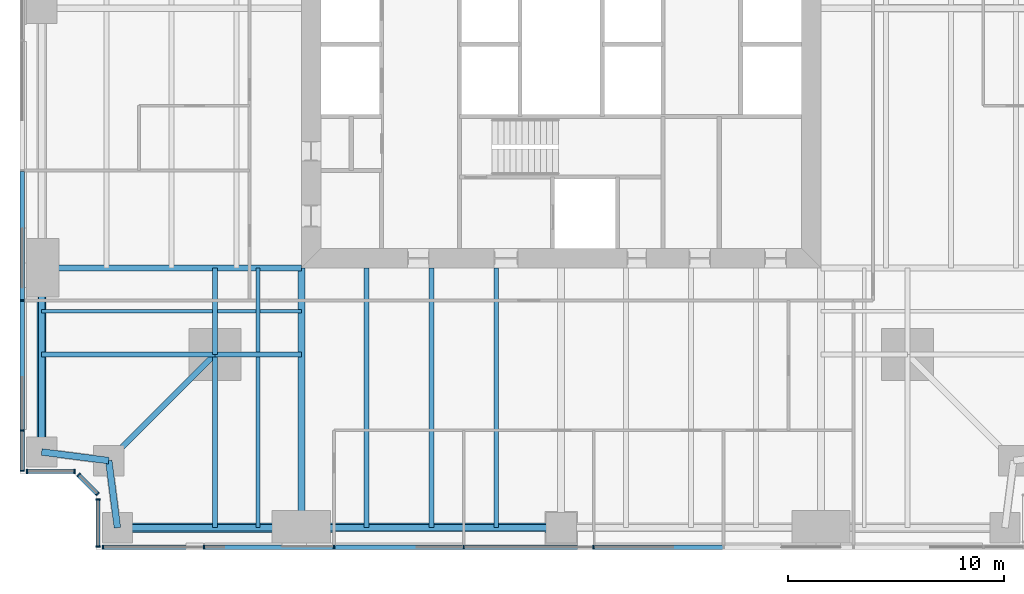
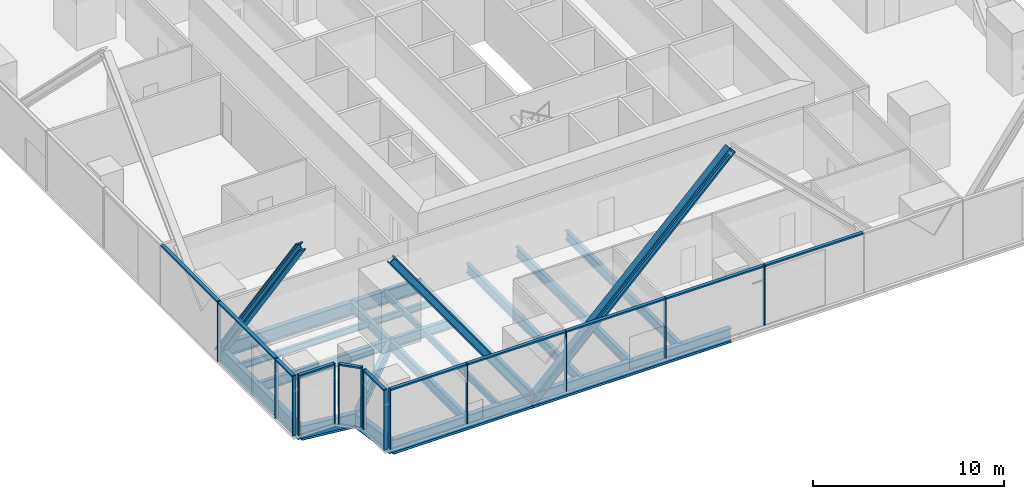
# One storey, part 2 of 14: 28 members, 20 beams, 5 elements without a shape of their own.
"""IFC4 building model written with IfcOpenShell, lengths in metres."""

from ifc_helpers import new_model, si_unit, direction, frame, origin, origin_2d, place, context, subcontext, project, spatial, rectangle, i_section, extrude, material, material_profile, profile_set, type_object, element, aggregate, save


model = new_model("IFC4")

# Units and contexts
model_context = context("Model", 3, precision=1e-05, world=origin(), true_north=direction((0.0, 1.0)))
body_context = subcontext(model_context, "Body", "Model", "MODEL_VIEW")
ifc_project = project(units=[si_unit("LENGTHUNIT", "METRE"), si_unit("AREAUNIT", "SQUARE_METRE"), si_unit("VOLUMEUNIT", "CUBIC_METRE"), si_unit("PLANEANGLEUNIT", "RADIAN"), si_unit("MASSUNIT", "GRAM", prefix="KILO")], contexts=[model_context])

# Site, building, storey
site_placement = place(None, origin())
site = spatial("IfcSite", under=ifc_project, at=site_placement, CompositionType="ELEMENT")
building_placement = place(site_placement, origin())
building = spatial("IfcBuilding", under=site, at=building_placement, Name="Fenwick Lantern Interchange", CompositionType="ELEMENT")
storey_placement = place(building_placement, frame((0.0, 0.0, 79.0)))
storey = spatial("IfcBuildingStorey", under=building, at=storey_placement, Name="L18", CompositionType="ELEMENT", Elevation=79.0)

# Beams
ifc_material_1 = material(Name="Steel ASTM A992 Grade 50", Category="steel")
ifc_material_profile_1 = material_profile(ifc_material_1, i_section(OverallWidth=0.3046875, OverallDepth=0.911865234375, WebThickness=0.015869140625, FlangeThickness=0.02392578125, at=origin_2d()), Name="W36X150")
ifc_profile_set_1 = profile_set([ifc_material_profile_1], Name="Steel ASTM A992 Grade 50")
beam_type_1 = type_object("IfcBeamType", Name="EDGE BEAM W36X150", PredefinedType="SPANDREL", material=ifc_profile_set_1)
beam_1_placement = place(storey_placement, frame((4.5, 1.0, -0.60595703125), z_axis=(1.0, 0.0, 0.0), x_axis=(0.0, 1.0, 0.0)))
element("IfcBeam", 1, at=beam_1_placement, inside=storey, type_object=beam_type_1, Name="L18/FR/S/EB1", PredefinedType="SPANDREL", context=body_context, shape_type="SweptSolid", body=[
    extrude(i_section(OverallWidth=0.3046875, OverallDepth=0.911865234375, WebThickness=0.015869140625, FlangeThickness=0.02392578125, at=origin_2d()), origin(), (0.0, 0.0, 1.0), 8.5),
])
beam_2_placement = place(storey_placement, frame((13.0, 1.0, -0.60595703125), z_axis=(1.0, 0.0, 0.0), x_axis=(0.0, 1.0, 0.0)))
element("IfcBeam", 2, at=beam_2_placement, inside=storey, type_object=beam_type_1, Name="L18/FR/S/EB2", PredefinedType="SPANDREL", context=body_context, shape_type="SweptSolid", body=[
    extrude(i_section(OverallWidth=0.3046875, OverallDepth=0.911865234375, WebThickness=0.015869140625, FlangeThickness=0.02392578125, at=origin_2d()), origin(), (0.0, 0.0, 1.0), 12.0),
])
beam_3_placement = place(storey_placement, frame((1.0, 13.0, -0.60595703125), z_axis=(0.0, -1.0, 0.0), x_axis=(1.0, 0.0, 0.0)))
element("IfcBeam", 3, at=beam_3_placement, inside=storey, type_object=beam_type_1, Name="L18/FR/W/EB4", PredefinedType="SPANDREL", context=body_context, shape_type="SweptSolid", body=[
    extrude(i_section(OverallWidth=0.3046875, OverallDepth=0.911865234375, WebThickness=0.015869140625, FlangeThickness=0.02392578125, at=origin_2d()), origin(), (0.0, 0.0, 1.0), 8.5),
])
for number, where, z_axis, x_axis, name in (
    (4, (1.0, 4.5, -0.60595703125), (0.991782342897, -0.127936641807, 0.0), (0.127936641807, 0.991782342897, 0.0), "L18/FR/W/EBR1"),
    (5, (4.10009765625, 4.10009765625, -0.60595703125), (0.127936641807, -0.991782342897, 0.0), (0.991782342897, 0.127936641807, 0.0), "L18/FR/W/EBR2"),
):
    element("IfcBeam", number, at=place(storey_placement, frame(where, z_axis=z_axis, x_axis=x_axis)), inside=storey, type_object=beam_type_1, Name=name, PredefinedType="SPANDREL", context=body_context, shape_type="SweptSolid", body=[
        extrude(i_section(OverallWidth=0.3046875, OverallDepth=0.911865234375, WebThickness=0.015869140625, FlangeThickness=0.02392578125, at=origin_2d()), origin(), (0.0, 0.0, 1.0), 3.125732421875),
    ])

# Members
ifc_material_profile_2 = material_profile(ifc_material_1, i_section(OverallWidth=0.424072265625, OverallDepth=0.47509765625, WebThickness=0.0478515625, FlangeThickness=0.0771484375, at=origin_2d()), Name="W14X426")
ifc_profile_set_2 = profile_set([ifc_material_profile_2], Name="Steel ASTM A992 Grade 50")
member_type_1 = type_object("IfcMemberType", Name="FACADE BRACE W14X426", PredefinedType="BRACE", material=ifc_profile_set_2)
for number, where, z_axis, x_axis, name in (
    (6, (13.0, 1.0, -0.60595703125), (-0.581715408588, 0.0, 0.813392392029), (0.0, -1.0, 0.0), "L18/FB/S/AE"),
    (7, (1.0, 13.0, -0.60595703125), (0.0, -0.581715408588, 0.813392392029), (1.0, 0.0, 0.0), "L18/FB/W/BE"),
):
    element("IfcMember", number, at=place(storey_placement, frame(where, z_axis=z_axis, x_axis=x_axis)), inside=storey, type_object=member_type_1, Name=name, PredefinedType="BRACE", context=body_context, shape_type="SweptSolid", body=[
        extrude(i_section(OverallWidth=0.424072265625, OverallDepth=0.47509765625, WebThickness=0.0478515625, FlangeThickness=0.0771484375, at=origin_2d()), origin(), (0.0, 0.0, 1.0), 14.612060546875),
    ])
ifc_material_profile_3 = material_profile(ifc_material_1, i_section(OverallWidth=0.44189453125, OverallDepth=0.53076171875, WebThickness=0.06591796875, FlangeThickness=0.105712890625, at=origin_2d()), Name="W14X605")
ifc_profile_set_3 = profile_set([ifc_material_profile_3], Name="Steel ASTM A992 Grade 50")
member_type_2 = type_object("IfcMemberType", Name="FACADE BRACE W14X605", PredefinedType="BRACE", material=ifc_profile_set_3)
member_1_placement = place(storey_placement, frame((13.0, 1.0, -0.60595703125), z_axis=(0.710495562956, 0.0, 0.703701680416), x_axis=(0.0, 1.0, 0.0)))
element("IfcMember", 8, at=member_1_placement, inside=storey, type_object=member_type_2, Name="L18/FB/S/A", PredefinedType="BRACE", context=body_context, shape_type="SweptSolid", body=[
    extrude(i_section(OverallWidth=0.44189453125, OverallDepth=0.53076171875, WebThickness=0.06591796875, FlangeThickness=0.105712890625, at=origin_2d()), origin(), (0.0, 0.0, 1.0), 16.8896484375),
])

# Beams
ifc_material_profile_4 = material_profile(ifc_material_1, i_section(OverallWidth=0.22900390625, OverallDepth=0.612060546875, WebThickness=0.011962890625, FlangeThickness=0.01953125, at=origin_2d()), Name="W24X84")
ifc_profile_set_4 = profile_set([ifc_material_profile_4], Name="Steel ASTM A992 Grade 50")
beam_type_2 = type_object("IfcBeamType", Name="FLOOR BEAM W24X84", PredefinedType="BEAM", material=ifc_profile_set_4)
for number, where, z_axis, x_axis, name in (
    (9, (16.0, 1.0, -0.4560546875), (0.0, 1.0, 0.0), (-1.0, 0.0, 0.0), "L18/FR/S/R02"),
    (10, (19.0, 1.0, -0.4560546875), (0.0, 1.0, 0.0), (-1.0, 0.0, 0.0), "L18/FR/S/R03"),
    (11, (22.0, 1.0, -0.4560546875), (0.0, 1.0, 0.0), (-1.0, 0.0, 0.0), "L18/FR/S/R04"),
):
    element("IfcBeam", number, at=place(storey_placement, frame(where, z_axis=z_axis, x_axis=x_axis)), inside=storey, type_object=beam_type_2, Name=name, PredefinedType="BEAM", context=body_context, shape_type="SweptSolid", body=[
        extrude(i_section(OverallWidth=0.22900390625, OverallDepth=0.612060546875, WebThickness=0.011962890625, FlangeThickness=0.01953125, at=origin_2d()), origin(), (0.0, 0.0, 1.0), 12.0),
    ])
ifc_material_profile_5 = material_profile(ifc_material_1, i_section(OverallWidth=0.177734375, OverallDepth=0.406494140625, WebThickness=0.0078125, FlangeThickness=0.012939453125, at=origin_2d()), Name="W16X40")
ifc_profile_set_5 = profile_set([ifc_material_profile_5], Name="Steel ASTM A992 Grade 50")
beam_type_3 = type_object("IfcBeamType", Name="INFILL BEAM W16X40", PredefinedType="JOIST", material=ifc_profile_set_5)
beam_4_placement = place(storey_placement, frame((11.0, 1.0, -0.353271484375), z_axis=(0.0, 1.0, 0.0), x_axis=(-1.0, 0.0, 0.0)))
element("IfcBeam", 12, at=beam_4_placement, inside=storey, type_object=beam_type_3, Name="L18/FR/S/J1", PredefinedType="JOIST", context=body_context, shape_type="SweptSolid", body=[
    extrude(i_section(OverallWidth=0.177734375, OverallDepth=0.406494140625, WebThickness=0.0078125, FlangeThickness=0.012939453125, at=origin_2d()), origin(), (0.0, 0.0, 1.0), 7.885498046875),
])
beam_5_placement = place(storey_placement, frame((11.0, 9.114501953125, -0.353271484375), z_axis=(0.0, 1.0, 0.0), x_axis=(-1.0, 0.0, 0.0)))
element("IfcBeam", 13, at=beam_5_placement, inside=storey, type_object=beam_type_3, Name="L18/FR/S/J2", PredefinedType="JOIST", context=body_context, shape_type="SweptSolid", body=[
    extrude(i_section(OverallWidth=0.177734375, OverallDepth=0.406494140625, WebThickness=0.0078125, FlangeThickness=0.012939453125, at=origin_2d()), origin(), (0.0, 0.0, 1.0), 3.885498046875),
])
beam_6_placement = place(storey_placement, frame((1.0, 11.0, -0.353271484375), z_axis=(1.0, 0.0, 0.0), x_axis=(0.0, 1.0, 0.0)))
element("IfcBeam", 14, at=beam_6_placement, inside=storey, type_object=beam_type_3, Name="L18/FR/S/J3", PredefinedType="JOIST", context=body_context, shape_type="SweptSolid", body=[
    extrude(i_section(OverallWidth=0.177734375, OverallDepth=0.406494140625, WebThickness=0.0078125, FlangeThickness=0.012939453125, at=origin_2d()), origin(), (0.0, 0.0, 1.0), 7.885498046875),
])
beam_7_placement = place(storey_placement, frame((9.114501953125, 11.0, -0.353271484375), z_axis=(1.0, 0.0, 0.0), x_axis=(0.0, 1.0, 0.0)))
element("IfcBeam", 15, at=beam_7_placement, inside=storey, type_object=beam_type_3, Name="L18/FR/S/J4", PredefinedType="JOIST", context=body_context, shape_type="SweptSolid", body=[
    extrude(i_section(OverallWidth=0.177734375, OverallDepth=0.406494140625, WebThickness=0.0078125, FlangeThickness=0.012939453125, at=origin_2d()), origin(), (0.0, 0.0, 1.0), 1.796630859375),
])
beam_8_placement = place(storey_placement, frame((11.0888671875, 11.0, -0.353271484375), z_axis=(1.0, 0.0, 0.0), x_axis=(0.0, 1.0, 0.0)))
element("IfcBeam", 16, at=beam_8_placement, inside=storey, type_object=beam_type_3, Name="L18/FR/S/J5", PredefinedType="JOIST", context=body_context, shape_type="SweptSolid", body=[
    extrude(i_section(OverallWidth=0.177734375, OverallDepth=0.406494140625, WebThickness=0.0078125, FlangeThickness=0.012939453125, at=origin_2d()), origin(), (0.0, 0.0, 1.0), 1.9111328125),
])
ifc_material_profile_6 = material_profile(ifc_material_1, i_section(OverallWidth=0.22900390625, OverallDepth=0.612060546875, WebThickness=0.011962890625, FlangeThickness=0.01953125, at=origin_2d()), Name="W24X84")
ifc_profile_set_6 = profile_set([ifc_material_profile_6], Name="Steel ASTM A992 Grade 50")
beam_type_4 = type_object("IfcBeamType", Name="MEGA COLUMN BEAM W24X84", PredefinedType="BEAM", material=ifc_profile_set_6)
for number, where, z_axis, x_axis, name in (
    (17, (9.0, 9.0, -0.4560546875), (0.0, -1.0, 0.0), (1.0, 0.0, 0.0), "L18/FR/S/MB1"),
    (18, (9.0, 9.0, -0.4560546875), (-1.0, 0.0, 0.0), (0.0, -1.0, 0.0), "L18/FR/S/MB2"),
):
    element("IfcBeam", number, at=place(storey_placement, frame(where, z_axis=z_axis, x_axis=x_axis)), inside=storey, type_object=beam_type_4, Name=name, PredefinedType="BEAM", context=body_context, shape_type="SweptSolid", body=[
        extrude(i_section(OverallWidth=0.22900390625, OverallDepth=0.612060546875, WebThickness=0.011962890625, FlangeThickness=0.01953125, at=origin_2d()), origin(), (0.0, 0.0, 1.0), 8.0),
    ])
for number, where, z_axis, x_axis, name in (
    (19, (9.0, 9.0, -0.4560546875), (1.0, 0.0, 0.0), (0.0, 1.0, 0.0), "L18/FR/S/MB3"),
    (20, (9.0, 9.0, -0.4560546875), (0.0, 1.0, 0.0), (-1.0, 0.0, 0.0), "L18/FR/S/MB4"),
):
    element("IfcBeam", number, at=place(storey_placement, frame(where, z_axis=z_axis, x_axis=x_axis)), inside=storey, type_object=beam_type_4, Name=name, PredefinedType="BEAM", context=body_context, shape_type="SweptSolid", body=[
        extrude(i_section(OverallWidth=0.22900390625, OverallDepth=0.612060546875, WebThickness=0.011962890625, FlangeThickness=0.01953125, at=origin_2d()), origin(), (0.0, 0.0, 1.0), 4.0),
    ])
ifc_material_profile_7 = material_profile(ifc_material_1, i_section(OverallWidth=0.32763671875, OverallDepth=0.622314453125, WebThickness=0.015380859375, FlangeThickness=0.0244140625, at=origin_2d()), Name="W24X131")
ifc_profile_set_7 = profile_set([ifc_material_profile_7], Name="Steel ASTM A992 Grade 50")
beam_type_5 = type_object("IfcBeamType", Name="MOMENT-CONNECTED GIRDER W24X131", PredefinedType="BEAM", material=ifc_profile_set_7)
beam_9_placement = place(storey_placement, frame((13.0, 1.0, -0.461181640625), z_axis=(0.0, 1.0, 0.0), x_axis=(-1.0, 0.0, 0.0)))
element("IfcBeam", 21, at=beam_9_placement, inside=storey, type_object=beam_type_5, Name="L18/FR/S/R01", PredefinedType="BEAM", context=body_context, shape_type="SweptSolid", body=[
    extrude(i_section(OverallWidth=0.32763671875, OverallDepth=0.622314453125, WebThickness=0.015380859375, FlangeThickness=0.0244140625, at=origin_2d()), origin(), (0.0, 0.0, 1.0), 12.0),
])
ifc_material_profile_8 = material_profile(ifc_material_1, i_section(OverallWidth=0.2919921875, OverallDepth=0.845703125, WebThickness=0.015380859375, FlangeThickness=0.0244140625, at=origin_2d()), Name="W33X141")
ifc_profile_set_8 = profile_set([ifc_material_profile_8], Name="Steel ASTM A992 Grade 50")
beam_type_6 = type_object("IfcBeamType", Name="MOMENT-CONNECTED GIRDER W33X141", PredefinedType="BEAM", material=ifc_profile_set_8)
beam_10_placement = place(storey_placement, frame((1.0, 13.0, -0.572998046875), z_axis=(1.0, 0.0, 0.0), x_axis=(0.0, 1.0, 0.0)))
element("IfcBeam", 22, at=beam_10_placement, inside=storey, type_object=beam_type_6, Name="L18/FR/W/R03", PredefinedType="BEAM", context=body_context, shape_type="SweptSolid", body=[
    extrude(i_section(OverallWidth=0.2919921875, OverallDepth=0.845703125, WebThickness=0.015380859375, FlangeThickness=0.0244140625, at=origin_2d()), origin(), (0.0, 0.0, 1.0), 12.0),
])
ifc_material_profile_9 = material_profile(ifc_material_1, i_section(OverallWidth=0.2666015625, OverallDepth=0.7568359375, WebThickness=0.013916015625, FlangeThickness=0.019287109375, at=origin_2d()), Name="W30X108")
ifc_profile_set_9 = profile_set([ifc_material_profile_9], Name="Steel ASTM A992 Grade 50")
beam_type_7 = type_object("IfcBeamType", Name="NOTCH BEAM W30X108", PredefinedType="BEAM", material=ifc_profile_set_9)
beam_11_placement = place(storey_placement, frame((9.0, 9.0, -0.528564453125), z_axis=(-0.707106781187, -0.707106781187, 0.0), x_axis=(0.707106781187, -0.707106781187, 0.0)))
element("IfcBeam", 23, at=beam_11_placement, inside=storey, type_object=beam_type_7, Name="L18/FR/S/TG", PredefinedType="BEAM", context=body_context, shape_type="SweptSolid", body=[
    extrude(i_section(OverallWidth=0.2666015625, OverallDepth=0.7568359375, WebThickness=0.013916015625, FlangeThickness=0.019287109375, at=origin_2d()), origin(), (0.0, 0.0, 1.0), 6.929443359375),
])

# Curtain wall, members
ifc_material_2 = material(Name="Aluminium curtain wall frame", Category="aluminium")
curtain_wall_type = type_object("IfcCurtainWallType", Name="OFFICE CURTAIN WALL", PredefinedType="USERDEFINED", material=ifc_material_2)
curtain_wall_1_placement = place(storey_placement, origin())
curtain_wall_1 = element("IfcCurtainWall", 24, at=curtain_wall_1_placement, inside=storey, type_object=curtain_wall_type, Name="Office curtain wall 01", ObjectType="OFFICE CURTAIN WALL", PredefinedType="USERDEFINED")
ifc_material_3 = material(Name="Aluminium extrusion", Category="aluminium")
ifc_material_profile_10 = material_profile(ifc_material_3, rectangle(XDim=0.199951171875, YDim=0.06494140625, at=origin_2d()), Name="OFFICE CURTAIN WALL MULLION 65 X 200")
ifc_profile_set_10 = profile_set([ifc_material_profile_10], Name="Aluminium extrusion")
member_type_3 = type_object("IfcMemberType", Name="OFFICE CURTAIN WALL MULLION 65 X 200", PredefinedType="MULLION", material=ifc_profile_set_10)
member_2_placement = place(storey_placement, frame((3.83251953125, 0.10009765625, 0.0), z_axis=(0.0, 0.0, 1.0), x_axis=(0.0, 1.0, 0.0)))
member_2 = element("IfcMember", 25, at=member_2_placement, type_object=member_type_3, Name="L18/CW/01/M00", PredefinedType="MULLION", context=body_context, shape_type="SweptSolid", body=[
    extrude(rectangle(XDim=0.199951171875, YDim=0.06494140625, at=origin_2d()), origin(), (0.0, 0.0, 1.0), 3.85009765625),
])
member_3_placement = place(storey_placement, frame((8.5, 0.10009765625, 0.0), z_axis=(0.0, 0.0, 1.0), x_axis=(0.0, 1.0, 0.0)))
member_3 = element("IfcMember", 26, at=member_3_placement, type_object=member_type_3, Name="L18/CW/01/M01", PredefinedType="MULLION", context=body_context, shape_type="SweptSolid", body=[
    extrude(rectangle(XDim=0.199951171875, YDim=0.06494140625, at=origin_2d()), origin(), (0.0, 0.0, 1.0), 3.85009765625),
])
member_4_placement = place(storey_placement, frame((14.5, 0.10009765625, 0.0), z_axis=(0.0, 0.0, 1.0), x_axis=(0.0, 1.0, 0.0)))
member_4 = element("IfcMember", 27, at=member_4_placement, type_object=member_type_3, Name="L18/CW/01/M02", PredefinedType="MULLION", context=body_context, shape_type="SweptSolid", body=[
    extrude(rectangle(XDim=0.199951171875, YDim=0.06494140625, at=origin_2d()), origin(), (0.0, 0.0, 1.0), 3.85009765625),
])
member_5_placement = place(storey_placement, frame((20.5, 0.10009765625, 0.0), z_axis=(0.0, 0.0, 1.0), x_axis=(0.0, 1.0, 0.0)))
member_5 = element("IfcMember", 28, at=member_5_placement, type_object=member_type_3, Name="L18/CW/01/M03", PredefinedType="MULLION", context=body_context, shape_type="SweptSolid", body=[
    extrude(rectangle(XDim=0.199951171875, YDim=0.06494140625, at=origin_2d()), origin(), (0.0, 0.0, 1.0), 3.85009765625),
])
member_6_placement = place(storey_placement, frame((26.5, 0.10009765625, 0.0), z_axis=(0.0, 0.0, 1.0), x_axis=(0.0, 1.0, 0.0)))
member_6 = element("IfcMember", 29, at=member_6_placement, type_object=member_type_3, Name="L18/CW/01/M04", PredefinedType="MULLION", context=body_context, shape_type="SweptSolid", body=[
    extrude(rectangle(XDim=0.199951171875, YDim=0.06494140625, at=origin_2d()), origin(), (0.0, 0.0, 1.0), 3.85009765625),
])

curtain_wall_2_placement = place(storey_placement, origin())
curtain_wall_2 = element("IfcCurtainWall", 30, at=curtain_wall_2_placement, inside=storey, type_object=curtain_wall_type, Name="Office curtain wall 13", ObjectType="OFFICE CURTAIN WALL", PredefinedType="USERDEFINED")
member_7_placement = place(storey_placement, frame((0.10009765625, 11.5, 0.0), z_axis=(0.0, 0.0, 1.0), x_axis=(1.0, 0.0, 0.0)))
member_7 = element("IfcMember", 31, at=member_7_placement, type_object=member_type_3, Name="L18/CW/13/M06", PredefinedType="MULLION", context=body_context, shape_type="SweptSolid", body=[
    extrude(rectangle(XDim=0.199951171875, YDim=0.06494140625, at=origin_2d()), origin(), (0.0, 0.0, 1.0), 3.85009765625),
])
member_8_placement = place(storey_placement, frame((0.10009765625, 5.5, 0.0), z_axis=(0.0, 0.0, 1.0), x_axis=(1.0, 0.0, 0.0)))
member_8 = element("IfcMember", 32, at=member_8_placement, type_object=member_type_3, Name="L18/CW/13/M07", PredefinedType="MULLION", context=body_context, shape_type="SweptSolid", body=[
    extrude(rectangle(XDim=0.199951171875, YDim=0.06494140625, at=origin_2d()), origin(), (0.0, 0.0, 1.0), 3.85009765625),
])
member_9_placement = place(storey_placement, frame((0.10009765625, 3.632568359375, 0.0), z_axis=(0.0, 0.0, 1.0), x_axis=(1.0, 0.0, 0.0)))
member_9 = element("IfcMember", 33, at=member_9_placement, type_object=member_type_3, Name="L18/CW/13/M08", PredefinedType="MULLION", context=body_context, shape_type="SweptSolid", body=[
    extrude(rectangle(XDim=0.199951171875, YDim=0.06494140625, at=origin_2d()), origin(), (0.0, 0.0, 1.0), 3.85009765625),
])

curtain_wall_3_placement = place(storey_placement, origin())
curtain_wall_3 = element("IfcCurtainWall", 34, at=curtain_wall_3_placement, inside=storey, type_object=curtain_wall_type, Name="Office curtain wall 14", ObjectType="OFFICE CURTAIN WALL", PredefinedType="USERDEFINED")
member_10_placement = place(storey_placement, frame((0.33251953125, 3.60009765625, 0.0), z_axis=(0.0, 0.0, 1.0), x_axis=(0.0, 1.0, 0.0)))
member_10 = element("IfcMember", 35, at=member_10_placement, type_object=member_type_3, Name="L18/CW/14/M00", PredefinedType="MULLION", context=body_context, shape_type="SweptSolid", body=[
    extrude(rectangle(XDim=0.199951171875, YDim=0.06494140625, at=origin_2d()), origin(), (0.0, 0.0, 1.0), 3.85009765625),
])
member_11_placement = place(storey_placement, frame((2.509033203125, 3.60009765625, 0.0), z_axis=(0.0, 0.0, 1.0), x_axis=(0.0, 1.0, 0.0)))
member_11 = element("IfcMember", 36, at=member_11_placement, type_object=member_type_3, Name="L18/CW/14/M01", PredefinedType="MULLION", context=body_context, shape_type="SweptSolid", body=[
    extrude(rectangle(XDim=0.199951171875, YDim=0.06494140625, at=origin_2d()), origin(), (0.0, 0.0, 1.0), 3.85009765625),
])

curtain_wall_4_placement = place(storey_placement, origin())
curtain_wall_4 = element("IfcCurtainWall", 37, at=curtain_wall_4_placement, inside=storey, type_object=curtain_wall_type, Name="Office curtain wall 15", ObjectType="OFFICE CURTAIN WALL", PredefinedType="USERDEFINED")
member_12_placement = place(storey_placement, frame((2.705810546875, 3.435546875, 0.0), z_axis=(0.0, 0.0, 1.0), x_axis=(0.707106781187, 0.707106781187, 0.0)))
member_12 = element("IfcMember", 38, at=member_12_placement, type_object=member_type_3, Name="L18/CW/15/M00", PredefinedType="MULLION", context=body_context, shape_type="SweptSolid", body=[
    extrude(rectangle(XDim=0.199951171875, YDim=0.06494140625, at=origin_2d()), origin(), (0.0, 0.0, 1.0), 3.85009765625),
])
member_13_placement = place(storey_placement, frame((3.576904296875, 2.564453125, 0.0), z_axis=(0.0, 0.0, 1.0), x_axis=(0.707106781187, 0.707106781187, 0.0)))
member_13 = element("IfcMember", 39, at=member_13_placement, type_object=member_type_3, Name="L18/CW/15/M01", PredefinedType="MULLION", context=body_context, shape_type="SweptSolid", body=[
    extrude(rectangle(XDim=0.199951171875, YDim=0.06494140625, at=origin_2d()), origin(), (0.0, 0.0, 1.0), 3.85009765625),
])

curtain_wall_5_placement = place(storey_placement, origin())
curtain_wall_5 = element("IfcCurtainWall", 40, at=curtain_wall_5_placement, inside=storey, type_object=curtain_wall_type, Name="Office curtain wall 16", ObjectType="OFFICE CURTAIN WALL", PredefinedType="USERDEFINED")
member_14_placement = place(storey_placement, frame((3.60009765625, 2.308837890625, 0.0), z_axis=(0.0, 0.0, 1.0), x_axis=(1.0, 0.0, 0.0)))
member_14 = element("IfcMember", 41, at=member_14_placement, type_object=member_type_3, Name="L18/CW/16/M00", PredefinedType="MULLION", context=body_context, shape_type="SweptSolid", body=[
    extrude(rectangle(XDim=0.199951171875, YDim=0.06494140625, at=origin_2d()), origin(), (0.0, 0.0, 1.0), 3.85009765625),
])
member_15_placement = place(storey_placement, frame((3.60009765625, 0.132568359375, 0.0), z_axis=(0.0, 0.0, 1.0), x_axis=(1.0, 0.0, 0.0)))
member_15 = element("IfcMember", 42, at=member_15_placement, type_object=member_type_3, Name="L18/CW/16/M01", PredefinedType="MULLION", context=body_context, shape_type="SweptSolid", body=[
    extrude(rectangle(XDim=0.199951171875, YDim=0.06494140625, at=origin_2d()), origin(), (0.0, 0.0, 1.0), 3.85009765625),
])

# Member
ifc_material_profile_11 = material_profile(ifc_material_3, rectangle(XDim=0.199951171875, YDim=0.10009765625, at=origin_2d()), Name="OFFICE CURTAIN WALL TRANSOM 100 X 200")
ifc_profile_set_11 = profile_set([ifc_material_profile_11], Name="Aluminium extrusion")
member_type_4 = type_object("IfcMemberType", Name="OFFICE CURTAIN WALL TRANSOM 100 X 200", PredefinedType="MULLION", material=ifc_profile_set_11)
member_16_placement = place(storey_placement, frame((3.864990234375, 0.10009765625, 3.800048828125), z_axis=(1.0, 0.0, 0.0), x_axis=(0.0, 1.0, 0.0)))
member_16 = element("IfcMember", 43, at=member_16_placement, type_object=member_type_4, Name="L18/CW/01/T00", PredefinedType="MULLION", context=body_context, shape_type="SweptSolid", body=[
    extrude(rectangle(XDim=0.199951171875, YDim=0.10009765625, at=origin_2d()), origin(), (0.0, 0.0, 1.0), 4.6025390625),
])

member_17_placement = place(storey_placement, frame((8.532470703125, 0.10009765625, 3.800048828125), z_axis=(1.0, 0.0, 0.0), x_axis=(0.0, 1.0, 0.0)))
member_17 = element("IfcMember", 44, at=member_17_placement, type_object=member_type_4, Name="L18/CW/01/T01", PredefinedType="MULLION", context=body_context, shape_type="SweptSolid", body=[
    extrude(rectangle(XDim=0.199951171875, YDim=0.10009765625, at=origin_2d()), origin(), (0.0, 0.0, 1.0), 5.93505859375),
])

member_18_placement = place(storey_placement, frame((14.532470703125, 0.10009765625, 3.800048828125), z_axis=(1.0, 0.0, 0.0), x_axis=(0.0, 1.0, 0.0)))
member_18 = element("IfcMember", 45, at=member_18_placement, type_object=member_type_4, Name="L18/CW/01/T02", PredefinedType="MULLION", context=body_context, shape_type="SweptSolid", body=[
    extrude(rectangle(XDim=0.199951171875, YDim=0.10009765625, at=origin_2d()), origin(), (0.0, 0.0, 1.0), 5.93505859375),
])

member_19_placement = place(storey_placement, frame((20.532470703125, 0.10009765625, 3.800048828125), z_axis=(1.0, 0.0, 0.0), x_axis=(0.0, 1.0, 0.0)))
member_19 = element("IfcMember", 46, at=member_19_placement, type_object=member_type_4, Name="L18/CW/01/T03", PredefinedType="MULLION", context=body_context, shape_type="SweptSolid", body=[
    extrude(rectangle(XDim=0.199951171875, YDim=0.10009765625, at=origin_2d()), origin(), (0.0, 0.0, 1.0), 5.93505859375),
])

member_20_placement = place(storey_placement, frame((26.532470703125, 0.10009765625, 3.800048828125), z_axis=(1.0, 0.0, 0.0), x_axis=(0.0, 1.0, 0.0)))
member_20 = element("IfcMember", 47, at=member_20_placement, type_object=member_type_4, Name="L18/CW/01/T04", PredefinedType="MULLION", context=body_context, shape_type="SweptSolid", body=[
    extrude(rectangle(XDim=0.199951171875, YDim=0.10009765625, at=origin_2d()), origin(), (0.0, 0.0, 1.0), 5.93505859375),
])

aggregate(curtain_wall_1, [member_2, member_3, member_4, member_5, member_6, member_16, member_17, member_18, member_19, member_20])

member_21_placement = place(storey_placement, frame((0.10009765625, 17.467529296875, 3.800048828125), z_axis=(0.0, -1.0, 0.0), x_axis=(1.0, 0.0, 0.0)))
member_21 = element("IfcMember", 48, at=member_21_placement, type_object=member_type_4, Name="L18/CW/13/T05", PredefinedType="MULLION", context=body_context, shape_type="SweptSolid", body=[
    extrude(rectangle(XDim=0.199951171875, YDim=0.10009765625, at=origin_2d()), origin(), (0.0, 0.0, 1.0), 5.93505859375),
])

member_22_placement = place(storey_placement, frame((0.10009765625, 11.467529296875, 3.800048828125), z_axis=(0.0, -1.0, 0.0), x_axis=(1.0, 0.0, 0.0)))
member_22 = element("IfcMember", 49, at=member_22_placement, type_object=member_type_4, Name="L18/CW/13/T06", PredefinedType="MULLION", context=body_context, shape_type="SweptSolid", body=[
    extrude(rectangle(XDim=0.199951171875, YDim=0.10009765625, at=origin_2d()), origin(), (0.0, 0.0, 1.0), 5.93505859375),
])

member_23_placement = place(storey_placement, frame((0.10009765625, 5.467529296875, 3.800048828125), z_axis=(0.0, -1.0, 0.0), x_axis=(1.0, 0.0, 0.0)))
member_23 = element("IfcMember", 50, at=member_23_placement, type_object=member_type_4, Name="L18/CW/13/T07", PredefinedType="MULLION", context=body_context, shape_type="SweptSolid", body=[
    extrude(rectangle(XDim=0.199951171875, YDim=0.10009765625, at=origin_2d()), origin(), (0.0, 0.0, 1.0), 1.802490234375),
])

aggregate(curtain_wall_2, [member_7, member_8, member_9, member_21, member_22, member_23])

member_24_placement = place(storey_placement, frame((0.364990234375, 3.60009765625, 3.800048828125), z_axis=(1.0, 0.0, 0.0), x_axis=(0.0, 1.0, 0.0)))
member_24 = element("IfcMember", 51, at=member_24_placement, type_object=member_type_4, Name="L18/CW/14/T00", PredefinedType="MULLION", context=body_context, shape_type="SweptSolid", body=[
    extrude(rectangle(XDim=0.199951171875, YDim=0.10009765625, at=origin_2d()), origin(), (0.0, 0.0, 1.0), 2.111328125),
])

aggregate(curtain_wall_3, [member_10, member_11, member_24])

member_25_placement = place(storey_placement, frame((2.728759765625, 3.41259765625, 3.800048828125), z_axis=(0.707106781187, -0.707106781187, 0.0), x_axis=(0.707106781187, 0.707106781187, 0.0)))
member_25 = element("IfcMember", 52, at=member_25_placement, type_object=member_type_4, Name="L18/CW/15/T00", PredefinedType="MULLION", context=body_context, shape_type="SweptSolid", body=[
    extrude(rectangle(XDim=0.199951171875, YDim=0.10009765625, at=origin_2d()), origin(), (0.0, 0.0, 1.0), 1.1669921875),
])

aggregate(curtain_wall_4, [member_12, member_13, member_25])

member_26_placement = place(storey_placement, frame((3.60009765625, 2.2763671875, 3.800048828125), z_axis=(0.0, -1.0, 0.0), x_axis=(1.0, 0.0, 0.0)))
member_26 = element("IfcMember", 53, at=member_26_placement, type_object=member_type_4, Name="L18/CW/16/T00", PredefinedType="MULLION", context=body_context, shape_type="SweptSolid", body=[
    extrude(rectangle(XDim=0.199951171875, YDim=0.10009765625, at=origin_2d()), origin(), (0.0, 0.0, 1.0), 2.111328125),
])

aggregate(curtain_wall_5, [member_14, member_15, member_26])

save(model, "model.ifc")
